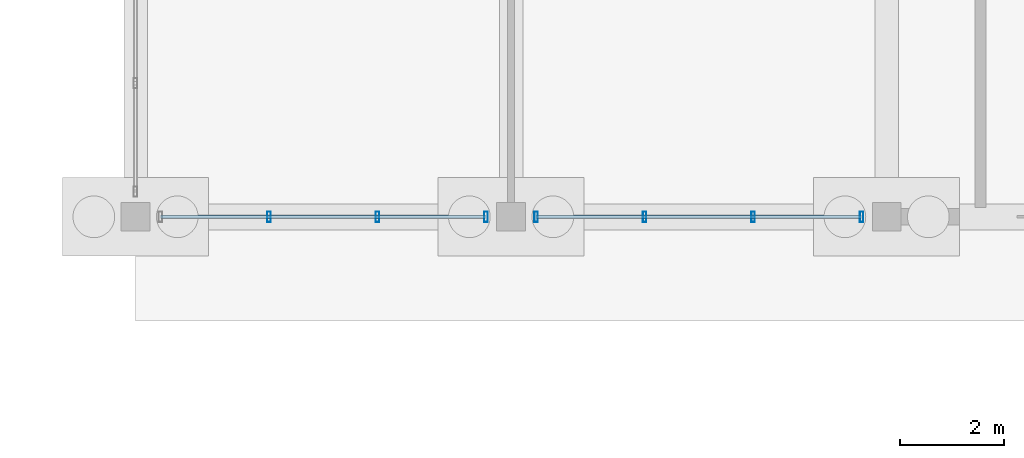
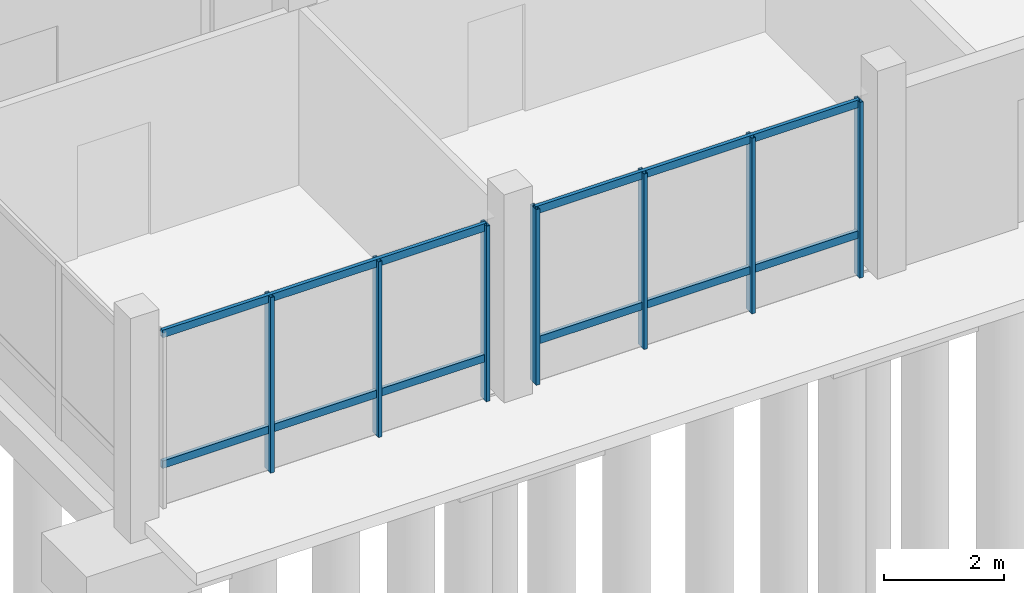
# One storey, part 45 of 98: 11 members, 2 elements without a shape of their own.
"""IFC4 building model written with IfcOpenShell, lengths in metres."""

from ifc_helpers import new_model, si_unit, direction, frame, origin, origin_2d, place, context, subcontext, project, spatial, hollow_rectangle, extrude, material, material_profile, profile_set, type_object, element, aggregate, save


model = new_model("IFC4")

# Units and contexts
model_context = context("Model", 3, precision=1e-05, world=origin(), true_north=direction((0.0, 1.0)))
body_context = subcontext(model_context, "Body", "Model", "MODEL_VIEW")
ifc_project = project(units=[si_unit("LENGTHUNIT", "METRE"), si_unit("AREAUNIT", "SQUARE_METRE"), si_unit("VOLUMEUNIT", "CUBIC_METRE"), si_unit("PLANEANGLEUNIT", "RADIAN"), si_unit("MASSUNIT", "GRAM", prefix="KILO")], contexts=[model_context])

# Site, building, storey
site_placement = place(None, origin())
site = spatial("IfcSite", under=ifc_project, at=site_placement, CompositionType="ELEMENT")
building_placement = place(site_placement, origin())
building = spatial("IfcBuilding", under=site, at=building_placement, Name="Zornivar Specialist Clinic", CompositionType="ELEMENT")
storey_placement = place(building_placement, origin())
storey = spatial("IfcBuildingStorey", under=building, at=storey_placement, Name="L00", CompositionType="ELEMENT", Elevation=0.0)

# Curtain wall, members
ifc_material_1 = material(Name="Aluminium and Low-E Glass Curtain Wall", Category="aluminium")
curtain_wall_type = type_object("IfcCurtainWallType", Name="CW-WINTERGARDEN", PredefinedType="NOTDEFINED", material=ifc_material_1)
curtain_wall_1_placement = place(storey_placement, origin())
curtain_wall_1 = element("IfcCurtainWall", 1, at=curtain_wall_1_placement, inside=storey, type_object=curtain_wall_type, Name="cw:V4:L00:00", PredefinedType="NOTDEFINED")
ifc_material_2 = material(Name="Aluminium AW-6060", Category="aluminium")
ifc_material_profile_1 = material_profile(ifc_material_2, hollow_rectangle(XDim=0.070068359375, YDim=0.199951171875, WallThickness=0.0048828125, at=origin_2d()), Name="ALU 70x200x5")
ifc_profile_set_1 = profile_set([ifc_material_profile_1], Name="Aluminium AW-6060")
member_type_1 = type_object("IfcMemberType", Name="CWM-MUL-200", PredefinedType="MULLION", material=ifc_profile_set_1)
member_1_placement = place(storey_placement, frame((124.9599609375, 0.0, 0.0), z_axis=(0.0, 0.0, 1.0), x_axis=(1.0, 0.0, 0.0)))
member_1 = element("IfcMember", 2, at=member_1_placement, type_object=member_type_1, Name="cw:V4:L00:00:mul:1", PredefinedType="MULLION", context=body_context, shape_type="SweptSolid", body=[
    extrude(hollow_rectangle(XDim=0.070068359375, YDim=0.199951171875, WallThickness=0.0048828125, at=origin_2d()), origin(), (0.0, 0.0, 1.0), 3.580078125),
])
member_2_placement = place(storey_placement, frame((127.0400390625, 0.0, 0.0), z_axis=(0.0, 0.0, 1.0), x_axis=(1.0, 0.0, 0.0)))
member_2 = element("IfcMember", 3, at=member_2_placement, type_object=member_type_1, Name="cw:V4:L00:00:mul:2", PredefinedType="MULLION", context=body_context, shape_type="SweptSolid", body=[
    extrude(hollow_rectangle(XDim=0.070068359375, YDim=0.199951171875, WallThickness=0.0048828125, at=origin_2d()), origin(), (0.0, 0.0, 1.0), 3.580078125),
])
member_3_placement = place(storey_placement, frame((129.1201171875, 0.0, 0.0), z_axis=(0.0, 0.0, 1.0), x_axis=(1.0, 0.0, 0.0)))
member_3 = element("IfcMember", 4, at=member_3_placement, type_object=member_type_1, Name="cw:V4:L00:00:mul:3", PredefinedType="MULLION", context=body_context, shape_type="SweptSolid", body=[
    extrude(hollow_rectangle(XDim=0.070068359375, YDim=0.199951171875, WallThickness=0.0048828125, at=origin_2d()), origin(), (0.0, 0.0, 1.0), 3.580078125),
])

curtain_wall_2_placement = place(storey_placement, origin())
curtain_wall_2 = element("IfcCurtainWall", 5, at=curtain_wall_2_placement, inside=storey, type_object=curtain_wall_type, Name="cw:V4:L00:01", PredefinedType="NOTDEFINED")
member_4_placement = place(storey_placement, frame((130.080078125, 0.0, 0.0), z_axis=(0.0, 0.0, 1.0), x_axis=(1.0, 0.0, 0.0)))
member_4 = element("IfcMember", 6, at=member_4_placement, type_object=member_type_1, Name="cw:V4:L00:01:mul:0", PredefinedType="MULLION", context=body_context, shape_type="SweptSolid", body=[
    extrude(hollow_rectangle(XDim=0.070068359375, YDim=0.199951171875, WallThickness=0.0048828125, at=origin_2d()), origin(), (0.0, 0.0, 1.0), 3.580078125),
])
member_5_placement = place(storey_placement, frame((132.159912109375, 0.0, 0.0), z_axis=(0.0, 0.0, 1.0), x_axis=(1.0, 0.0, 0.0)))
member_5 = element("IfcMember", 7, at=member_5_placement, type_object=member_type_1, Name="cw:V4:L00:01:mul:1", PredefinedType="MULLION", context=body_context, shape_type="SweptSolid", body=[
    extrude(hollow_rectangle(XDim=0.070068359375, YDim=0.199951171875, WallThickness=0.0048828125, at=origin_2d()), origin(), (0.0, 0.0, 1.0), 3.580078125),
])
member_6_placement = place(storey_placement, frame((134.239990234375, 0.0, 0.0), z_axis=(0.0, 0.0, 1.0), x_axis=(1.0, 0.0, 0.0)))
member_6 = element("IfcMember", 8, at=member_6_placement, type_object=member_type_1, Name="cw:V4:L00:01:mul:2", PredefinedType="MULLION", context=body_context, shape_type="SweptSolid", body=[
    extrude(hollow_rectangle(XDim=0.070068359375, YDim=0.199951171875, WallThickness=0.0048828125, at=origin_2d()), origin(), (0.0, 0.0, 1.0), 3.580078125),
])
member_7_placement = place(storey_placement, frame((136.320068359375, 0.0, 0.0), z_axis=(0.0, 0.0, 1.0), x_axis=(1.0, 0.0, 0.0)))
member_7 = element("IfcMember", 9, at=member_7_placement, type_object=member_type_1, Name="cw:V4:L00:01:mul:3", PredefinedType="MULLION", context=body_context, shape_type="SweptSolid", body=[
    extrude(hollow_rectangle(XDim=0.070068359375, YDim=0.199951171875, WallThickness=0.0048828125, at=origin_2d()), origin(), (0.0, 0.0, 1.0), 3.580078125),
])

# Member
ifc_material_3 = material(Name="Aluminium AW-6060", Category="aluminium")
ifc_material_profile_2 = material_profile(ifc_material_3, hollow_rectangle(XDim=0.070068359375, YDim=0.155029296875, WallThickness=0.00439453125, at=origin_2d()), Name="ALU 70x155x4.5")
ifc_profile_set_2 = profile_set([ifc_material_profile_2], Name="Aluminium AW-6060")
member_type_2 = type_object("IfcMemberType", Name="CWM-TRN-155", PredefinedType="USERDEFINED", material=ifc_profile_set_2)
member_8_placement = place(storey_placement, frame((122.8798828125, 0.0, 0.85009765625), z_axis=(1.0, 0.0, 0.0), x_axis=(0.0, 1.0, 0.0)))
member_8 = element("IfcMember", 10, at=member_8_placement, type_object=member_type_2, Name="cw:V4:L00:00:trn:0", ObjectType="TRANSOM", PredefinedType="USERDEFINED", context=body_context, shape_type="SweptSolid", body=[
    extrude(hollow_rectangle(XDim=0.070068359375, YDim=0.155029296875, WallThickness=0.00439453125, at=origin_2d()), origin(), (0.0, 0.0, 1.0), 6.240234375),
])

member_9_placement = place(storey_placement, frame((122.8798828125, 0.0, 3.514892578125), z_axis=(1.0, 0.0, 0.0), x_axis=(0.0, 1.0, 0.0)))
member_9 = element("IfcMember", 11, at=member_9_placement, type_object=member_type_2, Name="cw:V4:L00:00:trn:1", ObjectType="TRANSOM", PredefinedType="USERDEFINED", context=body_context, shape_type="SweptSolid", body=[
    extrude(hollow_rectangle(XDim=0.070068359375, YDim=0.155029296875, WallThickness=0.00439453125, at=origin_2d()), origin(), (0.0, 0.0, 1.0), 6.240234375),
])

aggregate(curtain_wall_1, [member_1, member_2, member_3, member_8, member_9])

member_10_placement = place(storey_placement, frame((130.080078125, 0.0, 0.85009765625), z_axis=(1.0, 0.0, 0.0), x_axis=(0.0, 1.0, 0.0)))
member_10 = element("IfcMember", 12, at=member_10_placement, type_object=member_type_2, Name="cw:V4:L00:01:trn:0", ObjectType="TRANSOM", PredefinedType="USERDEFINED", context=body_context, shape_type="SweptSolid", body=[
    extrude(hollow_rectangle(XDim=0.070068359375, YDim=0.155029296875, WallThickness=0.00439453125, at=origin_2d()), origin(), (0.0, 0.0, 1.0), 6.239990234375),
])

member_11_placement = place(storey_placement, frame((130.080078125, 0.0, 3.514892578125), z_axis=(1.0, 0.0, 0.0), x_axis=(0.0, 1.0, 0.0)))
member_11 = element("IfcMember", 13, at=member_11_placement, type_object=member_type_2, Name="cw:V4:L00:01:trn:1", ObjectType="TRANSOM", PredefinedType="USERDEFINED", context=body_context, shape_type="SweptSolid", body=[
    extrude(hollow_rectangle(XDim=0.070068359375, YDim=0.155029296875, WallThickness=0.00439453125, at=origin_2d()), origin(), (0.0, 0.0, 1.0), 6.239990234375),
])

aggregate(curtain_wall_2, [member_4, member_5, member_6, member_7, member_10, member_11])

save(model, "model.ifc")
